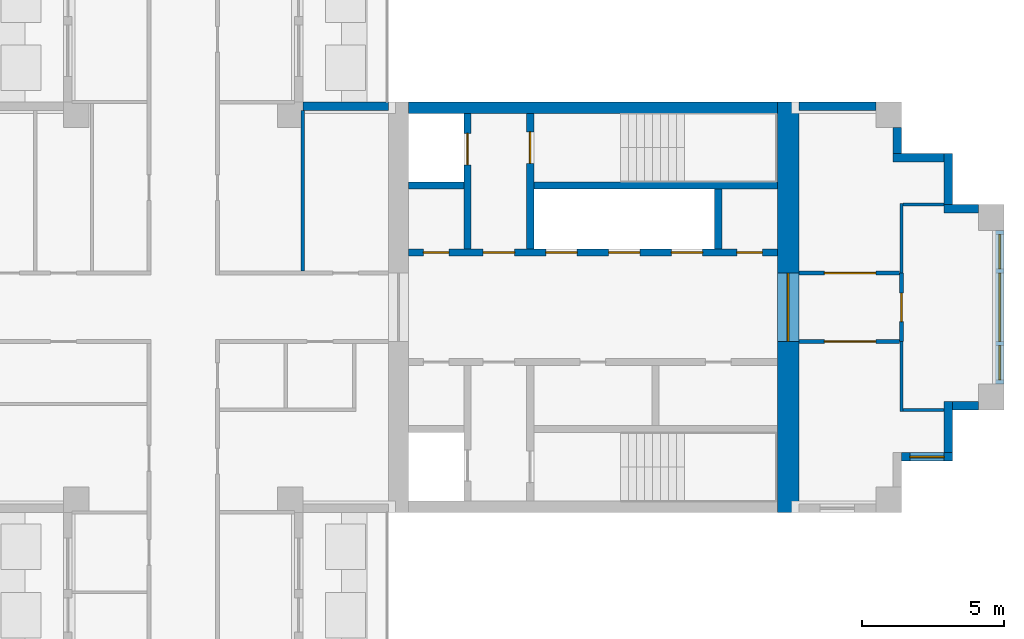
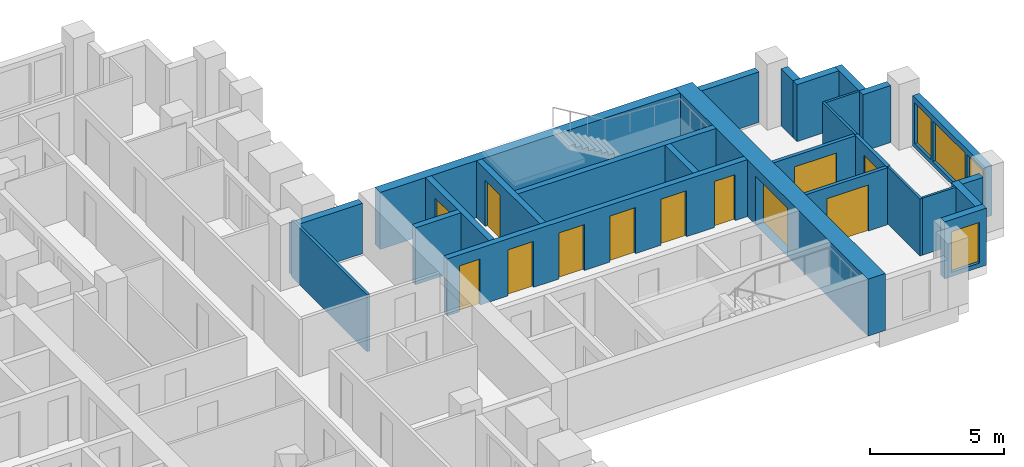
# One storey, part 6 of 10: 26 walls, 12 doors, 4 windows, 16 openings.
"""IFC4 building model written with IfcOpenShell, lengths in metres."""

import ifcopenshell
import ifcopenshell.guid

model = None  # the IFC model being written
_history = None  # IfcOwnerHistory: only IFC2X3 demands one
_inside = {}  # id of a spatial element -> (the spatial element, [elements in it])
_under = {}  # id of a project, library or spatial element -> (it, [spatial elements below it])
_declared = {}  # id of a project -> (the project, [libraries it declares])
_typed = {}  # id of a type object -> (the type object, [elements of that type])
_made_of = {}  # id of a material, layer set ... -> (it, [elements and type objects made of it])


def new_model(schema):
    """Start an empty IFC model of exactly this schema.

    Asked for "IFC4X3", IfcOpenShell would pick the latest addendum, in which some entities
    have other attributes; the version numbers below select the first issue.
    IFC2X3 requires an IfcOwnerHistory on every rooted entity: one is made here for all.
    """
    global model, _history
    if schema == "IFC4X3":
        model = ifcopenshell.file(schema_version=(4, 3, 0, 0))
    else:
        model = ifcopenshell.file(schema=schema)
    _inside.clear()
    _under.clear()
    _declared.clear()
    _typed.clear()
    _made_of.clear()
    _history = None
    if model.schema == "IFC2X3":
        org = make("IfcOrganization", Name="unknown")
        user = make(
            "IfcPersonAndOrganization",
            ThePerson=make("IfcPerson", FamilyName="unknown"),
            TheOrganization=org,
        )
        app = make(
            "IfcApplication",
            ApplicationDeveloper=org,
            Version="unknown",
            ApplicationFullName="unknown",
            ApplicationIdentifier="unknown",
        )
        _history = make(
            "IfcOwnerHistory",
            OwningUser=user,
            OwningApplication=app,
            ChangeAction="ADDED",
            CreationDate=0,
        )
    return model


def make(cls, **values):
    """One entity of the class cls with the attributes given. An attribute that is None is left unset."""
    return model.create_entity(
        cls, **{name: value for name, value in values.items() if value is not None}
    )


def rooted(cls, **values):
    """An entity with a GlobalId (a new one), such as an element, a storey or a relation."""
    return make(cls, GlobalId=ifcopenshell.guid.new(), OwnerHistory=_history, **values)


def si_unit(unit_type, name, prefix=None):
    """IfcSIUnit, for example si_unit("LENGTHUNIT", "METRE", prefix="MILLI")."""
    return make("IfcSIUnit", UnitType=unit_type, Prefix=prefix, Name=name)


def assignment(units):
    """IfcUnitAssignment: the units of a project."""
    return None if units is None else make("IfcUnitAssignment", Units=units)


def point(xyz):
    """IfcCartesianPoint."""
    return None if xyz is None else make("IfcCartesianPoint", Coordinates=xyz)


def direction(xyz):
    """IfcDirection."""
    return None if xyz is None else make("IfcDirection", DirectionRatios=xyz)


def frame(location, z_axis=None, x_axis=None):
    """IfcAxis2Placement3D, a coordinate frame: its origin and axes. An axis left out is left unset."""
    return make(
        "IfcAxis2Placement3D",
        Location=point(location),
        Axis=direction(z_axis),
        RefDirection=direction(x_axis),
    )


def frame_2d(location, x_axis=None):
    """IfcAxis2Placement2D, a coordinate frame in the plane: its origin and x axis."""
    return make(
        "IfcAxis2Placement2D", Location=point(location), RefDirection=direction(x_axis)
    )


def origin():
    """The frame at (0, 0, 0) with its axes left unset."""
    return frame((0.0, 0.0, 0.0))


def place(relative_to, where):
    """IfcLocalPlacement: puts the frame where relative to a parent placement (None: the world)."""
    return make(
        "IfcLocalPlacement", PlacementRelTo=relative_to, RelativePlacement=where
    )


def context(
    kind, dimensions, precision=None, world=None, true_north=None, identifier=None
):
    """IfcGeometricRepresentationContext, for example the 3D "Model" context."""
    return make(
        "IfcGeometricRepresentationContext",
        ContextIdentifier=identifier,
        ContextType=kind,
        CoordinateSpaceDimension=dimensions,
        Precision=precision,
        WorldCoordinateSystem=world,
        TrueNorth=true_north,
    )


def subcontext(parent, identifier, kind, view, scale=None):
    """IfcGeometricRepresentationSubContext, for example "Body" below "Model"."""
    return make(
        "IfcGeometricRepresentationSubContext",
        ContextIdentifier=identifier,
        ContextType=kind,
        ParentContext=parent,
        TargetScale=scale,
        TargetView=view,
    )


def project(units=None, contexts=None):
    """IfcProject with its units and contexts."""
    return rooted(
        "IfcProject",
        Name="project",
        RepresentationContexts=contexts,
        UnitsInContext=assignment(units),
    )


def spatial(cls, under=None, at=None, **own):
    """A site, building, storey or space (cls), placed at a placement, below another one or the project."""
    s = rooted(cls, ObjectPlacement=at, **own)
    if under is not None:
        _under.setdefault(under.id(), (under, []))[1].append(s)
    return s


def profile(cls, at=None, kind="AREA", **sizes):
    """A parametric profile (cls). Its sizes go by their IFC names, for example OverallWidth=200.0."""
    return make(cls, ProfileType=kind, Position=at, **sizes)


def rectangle(**sizes):
    """IfcRectangleProfileDef."""
    return profile("IfcRectangleProfileDef", **sizes)


def extrude(swept, where, along, depth):
    """IfcExtrudedAreaSolid: the profile swept, set in the frame where, extruded along a direction by depth."""
    return make(
        "IfcExtrudedAreaSolid",
        SweptArea=swept,
        Position=where,
        ExtrudedDirection=direction(along),
        Depth=depth,
    )


def shape(context_of_items, identifier, shape_type, items):
    """IfcShapeRepresentation: the items that make up one representation, for example the "Body"."""
    return make(
        "IfcShapeRepresentation",
        ContextOfItems=context_of_items,
        RepresentationIdentifier=identifier,
        RepresentationType=shape_type,
        Items=items,
    )


def material(Name=None, Category=None):
    """IfcMaterial."""
    return make("IfcMaterial", Name=Name, Category=Category)


def layer(
    of_material, thickness, ventilated=None, Name=None, Category=None, Priority=None
):
    """IfcMaterialLayer: one layer of a wall or slab, of a material (None: an air gap)."""
    return make(
        "IfcMaterialLayer",
        Material=of_material,
        LayerThickness=thickness,
        IsVentilated=ventilated,
        Name=Name,
        Category=Category,
        Priority=Priority,
    )


def layer_set(layers, Name=None):
    """IfcMaterialLayerSet."""
    return make("IfcMaterialLayerSet", MaterialLayers=layers, LayerSetName=Name)


def made_of(thing, what):
    """Note that an element or type object is made of a material, layer set ...; save() writes the relation."""
    if what is not None:
        _made_of.setdefault(what.id(), (what, []))[1].append(thing)
    return thing


def type_object(cls, material=None, **own):
    """A type object (cls), such as IfcWallType, which elements share."""
    return made_of(rooted(cls, **own), material)


def element(
    cls,
    number,
    at=None,
    inside=None,
    cuts=None,
    type_object=None,
    material=None,
    context=None,
    identifier="Body",
    shape_type=None,
    held_by="IfcProductDefinitionShape",
    body=None,
    shapes=None,
    **own,
):
    """One element of the class cls, such as IfcWall. Its Tag is "e" and its number.

    at: its placement. inside: the storey or other place that contains it. cuts: it is an
    opening in that element (IfcRelVoidsElement). A single representation is given by context,
    identifier, shape_type and body (its items); several are given by shapes. held_by: the class
    of the entity that holds the representations. save() writes the other relations.
    """
    e = rooted(cls, Tag="e%d" % number, ObjectPlacement=at, **own)
    if body is not None:
        shapes = [shape(context, identifier, shape_type, body)]
    if shapes is not None:
        e.Representation = make(held_by, Representations=shapes)
    if inside is not None:
        _inside.setdefault(inside.id(), (inside, []))[1].append(e)
    if cuts is not None:
        rooted(
            "IfcRelVoidsElement", RelatingBuildingElement=cuts, RelatedOpeningElement=e
        )
    if type_object is not None:
        _typed.setdefault(type_object.id(), (type_object, []))[1].append(e)
    return made_of(e, material)


def fill(opening, filler):
    """IfcRelFillsElement: the door or window that sits in an opening."""
    return rooted(
        "IfcRelFillsElement",
        RelatingOpeningElement=opening,
        RelatedBuildingElement=filler,
    )


def aggregate(whole, parts):
    """IfcRelAggregates: a whole, such as a stair, and the parts it consists of."""
    return rooted("IfcRelAggregates", RelatingObject=whole, RelatedObjects=parts)


def save(model, path):
    """Write the relations noted so far, then the file.

    IfcRelAggregates (storeys below a building ...), IfcRelContainedInSpatialStructure (elements
    in a storey), IfcRelDefinesByType, IfcRelAssociatesMaterial and IfcRelDeclares: one each for
    every whole, place, type object, material and project.
    """
    for whole, parts in _under.values():
        aggregate(whole, parts)
    for where, things in _inside.values():
        rooted(
            "IfcRelContainedInSpatialStructure",
            RelatedElements=things,
            RelatingStructure=where,
        )
    for kind, things in _typed.values():
        rooted("IfcRelDefinesByType", RelatedObjects=things, RelatingType=kind)
    for what, things in _made_of.values():
        rooted("IfcRelAssociatesMaterial", RelatedObjects=things, RelatingMaterial=what)
    for by, libraries in _declared.values():
        rooted("IfcRelDeclares", RelatingContext=by, RelatedDefinitions=libraries)
    model.write(path)


model = new_model("IFC4")

# Units and contexts
model_context = context("Model", 3, precision=1e-05, world=origin(), true_north=direction((0.0, 1.0)))
body_context = subcontext(model_context, "Body", "Model", "MODEL_VIEW")
ifc_project = project(units=[si_unit("LENGTHUNIT", "METRE"), si_unit("AREAUNIT", "SQUARE_METRE"), si_unit("VOLUMEUNIT", "CUBIC_METRE"), si_unit("PLANEANGLEUNIT", "RADIAN"), si_unit("MASSUNIT", "GRAM", prefix="KILO")], contexts=[model_context])

# Site, building, storey
site_placement = place(None, origin())
site = spatial("IfcSite", under=ifc_project, at=site_placement, CompositionType="ELEMENT")
building_placement = place(site_placement, origin())
building = spatial("IfcBuilding", under=site, at=building_placement, Name="Fustian Cross Tower", CompositionType="ELEMENT")
storey_placement = place(building_placement, frame((0.0, 0.0, 201.89990234375)))
storey = spatial("IfcBuildingStorey", under=building, at=storey_placement, Name="L63", CompositionType="ELEMENT", Elevation=201.89990234375)

# Wall, opening, door
ifc_material_1 = material(Name="Plasterboard on steel stud", Category="steel")
ifc_layer_1 = layer(ifc_material_1, 0.14990234375)
ifc_layer_set_1 = layer_set([ifc_layer_1], Name="Plasterboard on steel stud")
wall_type_1 = type_object("IfcWallType", Name="COMPARTMENT WALL 150 EI 60", PredefinedType="PARTITIONING", material=ifc_layer_set_1)
wall_1_placement = place(storey_placement, frame((21.60009765625, -1.199951171875, 0.0), z_axis=(0.0, 0.0, 1.0), x_axis=(1.0, 0.0, 0.0)))
wall_1 = element("IfcWall", 1, at=wall_1_placement, inside=storey, type_object=wall_type_1, Name="Partition 48", PredefinedType="PARTITIONING", context=body_context, shape_type="SweptSolid", body=[
    extrude(rectangle(XDim=3.52490234375, YDim=0.14990234375, at=frame_2d((1.762451171875, 0.0))), origin(), (0.0, 0.0, 1.0), 2.60009765625),
])
opening_1_placement = place(wall_1_placement, frame((0.89990234375, 0.0, 0.0)))
opening_1 = element("IfcOpeningElement", 2, at=opening_1_placement, cuts=wall_1, Name="Opening D29013", PredefinedType="OPENING", context=body_context, shape_type="SweptSolid", body=[
    extrude(rectangle(XDim=1.800048828125, YDim=2.10009765625, at=frame_2d((0.89990234375, 1.050048828125))), frame((0.0, 0.0849609375, 0.0), z_axis=(0.0, -1.0, 0.0), x_axis=(1.0, 0.0, 0.0)), (0.0, 0.0, 1.0), 0.169921875),
])
ifc_material_2 = material(Name="Timber fire door set", Category="wood")
door_type_1 = type_object("IfcDoorType", Name="FIRE DOUBLE DOOR 1800 FD30S", OperationType="DOUBLE_DOOR_DOUBLE_SWING", PredefinedType="DOOR", material=ifc_material_2)
door_1_placement = place(opening_1_placement, origin())
door_1 = element("IfcDoor", 3, at=door_1_placement, inside=storey, type_object=door_type_1, Name="Door D29013", OperationType="DOUBLE_DOOR_DOUBLE_SWING", OverallHeight=2.10009765625, OverallWidth=1.800048828125, PredefinedType="DOOR", context=body_context, shape_type="SweptSolid", body=[
    extrude(rectangle(XDim=1.800048828125, YDim=2.10009765625, at=frame_2d((0.89990234375, 1.050048828125))), frame((0.0, 0.02490234375, 0.0), z_axis=(0.0, -1.0, 0.0), x_axis=(1.0, 0.0, 0.0)), (0.0, 0.0, 1.0), 0.050048828125),
])
fill(opening_1, door_1)

wall_2_placement = place(storey_placement, frame((21.60009765625, 1.199951171875, 0.0), z_axis=(0.0, 0.0, 1.0), x_axis=(1.0, 0.0, 0.0)))
wall_2 = element("IfcWall", 4, at=wall_2_placement, inside=storey, type_object=wall_type_1, Name="Partition 49", PredefinedType="PARTITIONING", context=body_context, shape_type="SweptSolid", body=[
    extrude(rectangle(XDim=3.52490234375, YDim=0.14990234375, at=frame_2d((1.762451171875, 0.0))), origin(), (0.0, 0.0, 1.0), 2.60009765625),
])
opening_2_placement = place(wall_2_placement, frame((0.89990234375, 0.0, 0.0)))
opening_2 = element("IfcOpeningElement", 5, at=opening_2_placement, cuts=wall_2, Name="Opening D29012", PredefinedType="OPENING", context=body_context, shape_type="SweptSolid", body=[
    extrude(rectangle(XDim=1.800048828125, YDim=2.10009765625, at=frame_2d((0.89990234375, 1.050048828125))), frame((0.0, 0.0849609375, 0.0), z_axis=(0.0, -1.0, 0.0), x_axis=(1.0, 0.0, 0.0)), (0.0, 0.0, 1.0), 0.169921875),
])
door_2_placement = place(opening_2_placement, frame((1.800048828125, 0.0, 0.0), z_axis=(0.0, 0.0, 1.0), x_axis=(-1.0, 0.0, 0.0)))
door_2 = element("IfcDoor", 6, at=door_2_placement, inside=storey, type_object=door_type_1, Name="Door D29012", OperationType="DOUBLE_DOOR_DOUBLE_SWING", OverallHeight=2.10009765625, OverallWidth=1.800048828125, PredefinedType="DOOR", context=body_context, shape_type="SweptSolid", body=[
    extrude(rectangle(XDim=1.800048828125, YDim=2.10009765625, at=frame_2d((0.89990234375, 1.050048828125))), frame((0.0, 0.02490234375, 0.0), z_axis=(0.0, -1.0, 0.0), x_axis=(1.0, 0.0, 0.0)), (0.0, 0.0, 1.0), 0.050048828125),
])
fill(opening_2, door_2)

wall_3_placement = place(storey_placement, frame((25.199951171875, -1.199951171875, 0.0), z_axis=(0.0, 0.0, 1.0), x_axis=(0.0, 1.0, 0.0)))
wall_3 = element("IfcWall", 7, at=wall_3_placement, inside=storey, type_object=wall_type_1, Name="Partition 52", PredefinedType="PARTITIONING", context=body_context, shape_type="SweptSolid", body=[
    extrude(rectangle(XDim=2.39990234375, YDim=0.14990234375, at=frame_2d((1.199951171875, 0.0))), origin(), (0.0, 0.0, 1.0), 2.60009765625),
])
opening_3_placement = place(wall_3_placement, frame((0.699951171875, 0.0, 0.0)))
opening_3 = element("IfcOpeningElement", 8, at=opening_3_placement, cuts=wall_3, Name="Opening D29011", PredefinedType="OPENING", context=body_context, shape_type="SweptSolid", body=[
    extrude(rectangle(XDim=1.0, YDim=2.10009765625, at=frame_2d((0.5, 1.050048828125))), frame((0.0, 0.0849609375, 0.0), z_axis=(0.0, -1.0, 0.0), x_axis=(1.0, 0.0, 0.0)), (0.0, 0.0, 1.0), 0.169921875),
])
ifc_material_3 = material(Name="Timber fire door set", Category="wood")
door_type_2 = type_object("IfcDoorType", Name="FIRE SWING DOOR 1000 FD30S", OperationType="SINGLE_SWING_LEFT", PredefinedType="DOOR", material=ifc_material_3)
door_3_placement = place(opening_3_placement, frame((1.0, 0.0, 0.0), z_axis=(0.0, 0.0, 1.0), x_axis=(-1.0, 0.0, 0.0)))
door_3 = element("IfcDoor", 9, at=door_3_placement, inside=storey, type_object=door_type_2, Name="Door D29011", OperationType="SINGLE_SWING_RIGHT", OverallHeight=2.10009765625, OverallWidth=1.0, PredefinedType="DOOR", context=body_context, shape_type="SweptSolid", body=[
    extrude(rectangle(XDim=1.0, YDim=2.10009765625, at=frame_2d((0.5, 1.050048828125))), frame((0.0, 0.02490234375, 0.0), z_axis=(0.0, -1.0, 0.0), x_axis=(1.0, 0.0, 0.0)), (0.0, 0.0, 1.0), 0.050048828125),
])
fill(opening_3, door_3)

ifc_material_4 = material(Name="Concrete C50/60", Category="concrete")
ifc_layer_2 = layer(ifc_material_4, 0.75)
ifc_layer_set_2 = layer_set([ifc_layer_2], Name="Concrete C50/60")
wall_type_2 = type_object("IfcWallType", Name="CORE END WALL 750 C50/60", PredefinedType="SHEAR", material=ifc_layer_set_2)
wall_4_placement = place(storey_placement, frame((21.22509765625, -7.199951171875, 0.0), z_axis=(0.0, 0.0, 1.0), x_axis=(0.0, 1.0, 0.0)))
wall_4 = element("IfcWall", 10, at=wall_4_placement, inside=storey, type_object=wall_type_2, Name="Core end wall", PredefinedType="SHEAR", context=body_context, shape_type="SweptSolid", body=[
    extrude(rectangle(XDim=14.39990234375, YDim=0.75, at=frame_2d((7.199951171875, 0.0))), origin(), (0.0, 0.0, 1.0), 2.60009765625),
])
opening_4_placement = place(wall_4_placement, frame((6.0, 0.0, 0.0)))
opening_4 = element("IfcOpeningElement", 11, at=opening_4_placement, cuts=wall_4, Name="Opening CD-27-13", PredefinedType="OPENING", context=body_context, shape_type="SweptSolid", body=[
    extrude(rectangle(XDim=2.39990234375, YDim=2.199951171875, at=frame_2d((1.199951171875, 1.10009765625))), frame((0.0, 0.385009765625, 0.0), z_axis=(0.0, -1.0, 0.0), x_axis=(1.0, 0.0, 0.0)), (0.0, 0.0, 1.0), 0.77001953125),
])
ifc_material_5 = material(Name="Steel", Category="steel")
door_type_3 = type_object("IfcDoorType", Name="FIRE DOOR FD30S DOUBLE 2400X2200", OperationType="DOUBLE_DOOR_DOUBLE_SWING", PredefinedType="DOOR", material=ifc_material_5)
door_4_placement = place(opening_4_placement, origin())
door_4 = element("IfcDoor", 12, at=door_4_placement, inside=storey, type_object=door_type_3, Name="Core door CD-27-13", OperationType="DOUBLE_DOOR_DOUBLE_SWING", OverallHeight=2.199951171875, OverallWidth=2.39990234375, PredefinedType="DOOR", context=body_context, shape_type="SweptSolid", body=[
    extrude(rectangle(XDim=2.39990234375, YDim=2.199951171875, at=frame_2d((1.199951171875, 1.10009765625))), frame((0.0, 0.02490234375, 0.0), z_axis=(0.0, -1.0, 0.0), x_axis=(1.0, 0.0, 0.0)), (0.0, 0.0, 1.0), 0.050048828125),
])
fill(opening_4, door_4)

# Wall
ifc_material_6 = material(Name="Concrete C50/60", Category="concrete")
ifc_layer_3 = layer(ifc_material_6, 0.39990234375)
ifc_layer_set_3 = layer_set([ifc_layer_3], Name="Concrete C50/60")
wall_type_3 = type_object("IfcWallType", Name="CORE FACADE WALL 400 C50/60", PredefinedType="SHEAR", material=ifc_layer_set_3)
wall_5_placement = place(storey_placement, frame((7.89990234375, 7.0, 0.0), z_axis=(0.0, 0.0, 1.0), x_axis=(1.0, 0.0, 0.0)))
element("IfcWall", 13, at=wall_5_placement, inside=storey, type_object=wall_type_3, Name="Core facade wall", PredefinedType="SHEAR", context=body_context, shape_type="SweptSolid", body=[
    extrude(rectangle(XDim=12.9501953125, YDim=0.39990234375, at=frame_2d((6.47509765625, 0.0))), origin(), (0.0, 0.0, 1.0), 2.60009765625),
])

# Wall, openings, doors
ifc_material_7 = material(Name="Concrete C50/60", Category="concrete")
ifc_layer_4 = layer(ifc_material_7, 0.25)
ifc_layer_set_4 = layer_set([ifc_layer_4], Name="Concrete C50/60")
wall_type_4 = type_object("IfcWallType", Name="CORE LOBBY WALL 250 C50/60", PredefinedType="SHEAR", material=ifc_layer_set_4)
wall_6_placement = place(storey_placement, frame((7.89990234375, 1.925048828125, 0.0), z_axis=(0.0, 0.0, 1.0), x_axis=(1.0, 0.0, 0.0)))
wall_6 = element("IfcWall", 14, at=wall_6_placement, inside=storey, type_object=wall_type_4, Name="Core lobby wall", PredefinedType="SHEAR", context=body_context, shape_type="SweptSolid", body=[
    extrude(rectangle(XDim=12.9501953125, YDim=0.25, at=frame_2d((6.47509765625, 0.0))), origin(), (0.0, 0.0, 1.0), 2.60009765625),
])
opening_5_placement = place(wall_6_placement, frame((4.824951171875, 0.0, 0.0)))
opening_5 = element("IfcOpeningElement", 15, at=opening_5_placement, cuts=wall_6, Name="Opening LD", PredefinedType="OPENING", context=body_context, shape_type="SweptSolid", body=[
    extrude(rectangle(XDim=1.10009765625, YDim=2.10009765625, at=frame_2d((0.550048828125, 1.050048828125))), frame((0.0, 0.135009765625, 0.0), z_axis=(0.0, -1.0, 0.0), x_axis=(1.0, 0.0, 0.0)), (0.0, 0.0, 1.0), 0.27001953125),
])
opening_6_placement = place(wall_6_placement, frame((7.02490234375, 0.0, 0.0)))
opening_6 = element("IfcOpeningElement", 16, at=opening_6_placement, cuts=wall_6, Name="Opening LD", PredefinedType="OPENING", context=body_context, shape_type="SweptSolid", body=[
    extrude(rectangle(XDim=1.10009765625, YDim=2.10009765625, at=frame_2d((0.550048828125, 1.050048828125))), frame((0.0, 0.135009765625, 0.0), z_axis=(0.0, -1.0, 0.0), x_axis=(1.0, 0.0, 0.0)), (0.0, 0.0, 1.0), 0.27001953125),
])
opening_7_placement = place(wall_6_placement, frame((9.22509765625, 0.0, 0.0)))
opening_7 = element("IfcOpeningElement", 17, at=opening_7_placement, cuts=wall_6, Name="Opening LD", PredefinedType="OPENING", context=body_context, shape_type="SweptSolid", body=[
    extrude(rectangle(XDim=1.10009765625, YDim=2.10009765625, at=frame_2d((0.550048828125, 1.050048828125))), frame((0.0, 0.135009765625, 0.0), z_axis=(0.0, -1.0, 0.0), x_axis=(1.0, 0.0, 0.0)), (0.0, 0.0, 1.0), 0.27001953125),
])
opening_8_placement = place(wall_6_placement, frame((0.52490234375, 0.0, 0.0)))
opening_8 = element("IfcOpeningElement", 18, at=opening_8_placement, cuts=wall_6, Name="Opening CD-27-08", PredefinedType="OPENING", context=body_context, shape_type="SweptSolid", body=[
    extrude(rectangle(XDim=0.89990234375, YDim=2.10009765625, at=frame_2d((0.449951171875, 1.050048828125))), frame((0.0, 0.135009765625, 0.0), z_axis=(0.0, -1.0, 0.0), x_axis=(1.0, 0.0, 0.0)), (0.0, 0.0, 1.0), 0.27001953125),
])
opening_9_placement = place(wall_6_placement, frame((2.625, 0.0, 0.0)))
opening_9 = element("IfcOpeningElement", 19, at=opening_9_placement, cuts=wall_6, Name="Opening CD-27-10", PredefinedType="OPENING", context=body_context, shape_type="SweptSolid", body=[
    extrude(rectangle(XDim=1.10009765625, YDim=2.10009765625, at=frame_2d((0.550048828125, 1.050048828125))), frame((0.0, 0.135009765625, 0.0), z_axis=(0.0, -1.0, 0.0), x_axis=(1.0, 0.0, 0.0)), (0.0, 0.0, 1.0), 0.27001953125),
])
opening_10_placement = place(wall_6_placement, frame((11.52490234375, 0.0, 0.0)))
opening_10 = element("IfcOpeningElement", 20, at=opening_10_placement, cuts=wall_6, Name="Opening CD-27-14", PredefinedType="OPENING", context=body_context, shape_type="SweptSolid", body=[
    extrude(rectangle(XDim=0.89990234375, YDim=2.10009765625, at=frame_2d((0.449951171875, 1.050048828125))), frame((0.0, 0.135009765625, 0.0), z_axis=(0.0, -1.0, 0.0), x_axis=(1.0, 0.0, 0.0)), (0.0, 0.0, 1.0), 0.27001953125),
])
ifc_material_8 = material(Name="Steel", Category="steel")
door_type_4 = type_object("IfcDoorType", Name="FIRE DOOR FD30S 900X2100", OperationType="SINGLE_SWING_LEFT", PredefinedType="DOOR", material=ifc_material_8)
door_5_placement = place(opening_10_placement, origin())
door_5 = element("IfcDoor", 21, at=door_5_placement, inside=storey, type_object=door_type_4, Name="Core door CD-27-14", OperationType="SINGLE_SWING_LEFT", OverallHeight=2.10009765625, OverallWidth=0.89990234375, PredefinedType="DOOR", context=body_context, shape_type="SweptSolid", body=[
    extrude(rectangle(XDim=0.89990234375, YDim=2.10009765625, at=frame_2d((0.449951171875, 1.050048828125))), frame((0.0, 0.02490234375, 0.0), z_axis=(0.0, -1.0, 0.0), x_axis=(1.0, 0.0, 0.0)), (0.0, 0.0, 1.0), 0.050048828125),
])
fill(opening_10, door_5)
ifc_material_9 = material(Name="Steel", Category="steel")
door_type_5 = type_object("IfcDoorType", Name="FIRE DOOR FD60S 1100X2100", OperationType="SINGLE_SWING_LEFT", PredefinedType="DOOR", material=ifc_material_9)
door_6_placement = place(opening_9_placement, frame((1.10009765625, 0.0, 0.0), z_axis=(0.0, 0.0, 1.0), x_axis=(-1.0, 0.0, 0.0)))
door_6 = element("IfcDoor", 22, at=door_6_placement, inside=storey, type_object=door_type_5, Name="Core door CD-27-10", OperationType="SINGLE_SWING_RIGHT", OverallHeight=2.10009765625, OverallWidth=1.10009765625, PredefinedType="DOOR", context=body_context, shape_type="SweptSolid", body=[
    extrude(rectangle(XDim=1.10009765625, YDim=2.10009765625, at=frame_2d((0.550048828125, 1.050048828125))), frame((0.0, 0.02490234375, 0.0), z_axis=(0.0, -1.0, 0.0), x_axis=(1.0, 0.0, 0.0)), (0.0, 0.0, 1.0), 0.050048828125),
])
fill(opening_9, door_6)
ifc_material_10 = material(Name="Steel", Category="steel")
door_type_6 = type_object("IfcDoorType", Name="FIRE DOOR FD60S 900X2100", OperationType="SINGLE_SWING_LEFT", PredefinedType="DOOR", material=ifc_material_10)
door_7_placement = place(opening_8_placement, origin())
door_7 = element("IfcDoor", 23, at=door_7_placement, inside=storey, type_object=door_type_6, Name="Core door CD-27-08", OperationType="SINGLE_SWING_LEFT", OverallHeight=2.10009765625, OverallWidth=0.89990234375, PredefinedType="DOOR", context=body_context, shape_type="SweptSolid", body=[
    extrude(rectangle(XDim=0.89990234375, YDim=2.10009765625, at=frame_2d((0.449951171875, 1.050048828125))), frame((0.0, 0.02490234375, 0.0), z_axis=(0.0, -1.0, 0.0), x_axis=(1.0, 0.0, 0.0)), (0.0, 0.0, 1.0), 0.050048828125),
])
fill(opening_8, door_7)
ifc_material_11 = material(Name="Stainless steel", Category="steel")
door_type_7 = type_object("IfcDoorType", Name="LIFT LANDING DOOR 1100X2100", OperationType="SLIDING_TO_LEFT", PredefinedType="DOOR", material=ifc_material_11)
door_8_placement = place(opening_5_placement, origin())
door_8 = element("IfcDoor", 24, at=door_8_placement, inside=storey, type_object=door_type_7, Name="Landing door HR1", OperationType="SLIDING_TO_LEFT", OverallHeight=2.10009765625, OverallWidth=1.10009765625, PredefinedType="DOOR", context=body_context, shape_type="SweptSolid", body=[
    extrude(rectangle(XDim=1.10009765625, YDim=2.10009765625, at=frame_2d((0.550048828125, 1.050048828125))), frame((0.0, 0.02490234375, 0.0), z_axis=(0.0, -1.0, 0.0), x_axis=(1.0, 0.0, 0.0)), (0.0, 0.0, 1.0), 0.050048828125),
])
fill(opening_5, door_8)
door_9_placement = place(opening_6_placement, origin())
door_9 = element("IfcDoor", 25, at=door_9_placement, inside=storey, type_object=door_type_7, Name="Landing door HR2", OperationType="SLIDING_TO_LEFT", OverallHeight=2.10009765625, OverallWidth=1.10009765625, PredefinedType="DOOR", context=body_context, shape_type="SweptSolid", body=[
    extrude(rectangle(XDim=1.10009765625, YDim=2.10009765625, at=frame_2d((0.550048828125, 1.050048828125))), frame((0.0, 0.02490234375, 0.0), z_axis=(0.0, -1.0, 0.0), x_axis=(1.0, 0.0, 0.0)), (0.0, 0.0, 1.0), 0.050048828125),
])
fill(opening_6, door_9)
door_10_placement = place(opening_7_placement, origin())
door_10 = element("IfcDoor", 26, at=door_10_placement, inside=storey, type_object=door_type_7, Name="Landing door HR3", OperationType="SLIDING_TO_LEFT", OverallHeight=2.10009765625, OverallWidth=1.10009765625, PredefinedType="DOOR", context=body_context, shape_type="SweptSolid", body=[
    extrude(rectangle(XDim=1.10009765625, YDim=2.10009765625, at=frame_2d((0.550048828125, 1.050048828125))), frame((0.0, 0.02490234375, 0.0), z_axis=(0.0, -1.0, 0.0), x_axis=(1.0, 0.0, 0.0)), (0.0, 0.0, 1.0), 0.050048828125),
])
fill(opening_7, door_10)

# Walls
ifc_material_12 = material(Name="Concrete C50/60", Category="concrete")
ifc_layer_5 = layer(ifc_material_12, 0.25)
ifc_layer_set_5 = layer_set([ifc_layer_5], Name="Concrete C50/60")
wall_type_5 = type_object("IfcWallType", Name="CORE SHAFT WALL 250 C50/60", PredefinedType="SHEAR", material=ifc_layer_set_5)
wall_7_placement = place(storey_placement, frame((7.89990234375, 4.27490234375, 0.0), z_axis=(0.0, 0.0, 1.0), x_axis=(1.0, 0.0, 0.0)))
element("IfcWall", 27, at=wall_7_placement, inside=storey, type_object=wall_type_5, Name="Core shaft wall", PredefinedType="SHEAR", context=body_context, shape_type="SweptSolid", body=[
    extrude(rectangle(XDim=1.9501953125, YDim=0.25, at=frame_2d((0.97509765625, 0.0))), origin(), (0.0, 0.0, 1.0), 2.60009765625),
])
wall_8_placement = place(storey_placement, frame((12.300048828125, 4.27490234375, 0.0), z_axis=(0.0, 0.0, 1.0), x_axis=(1.0, 0.0, 0.0)))
element("IfcWall", 28, at=wall_8_placement, inside=storey, type_object=wall_type_5, Name="Core shaft wall", PredefinedType="SHEAR", context=body_context, shape_type="SweptSolid", body=[
    extrude(rectangle(XDim=8.550048828125, YDim=0.25, at=frame_2d((4.27490234375, 0.0))), origin(), (0.0, 0.0, 1.0), 2.60009765625),
])

# Wall, opening, door
wall_9_placement = place(storey_placement, frame((9.97509765625, 2.050048828125, 0.0), z_axis=(0.0, 0.0, 1.0), x_axis=(0.0, 1.0, 0.0)))
wall_9 = element("IfcWall", 29, at=wall_9_placement, inside=storey, type_object=wall_type_5, Name="Core shaft wall", PredefinedType="SHEAR", context=body_context, shape_type="SweptSolid", body=[
    extrude(rectangle(XDim=4.75, YDim=0.25, at=frame_2d((2.375, 0.0))), origin(), (0.0, 0.0, 1.0), 2.60009765625),
])
opening_11_placement = place(wall_9_placement, frame((2.949951171875, 0.0, 0.0)))
opening_11 = element("IfcOpeningElement", 30, at=opening_11_placement, cuts=wall_9, Name="Opening LD", PredefinedType="OPENING", context=body_context, shape_type="SweptSolid", body=[
    extrude(rectangle(XDim=1.10009765625, YDim=2.10009765625, at=frame_2d((0.550048828125, 1.050048828125))), frame((0.0, 0.135009765625, 0.0), z_axis=(0.0, -1.0, 0.0), x_axis=(1.0, 0.0, 0.0)), (0.0, 0.0, 1.0), 0.27001953125),
])
door_11_placement = place(opening_11_placement, origin())
door_11 = element("IfcDoor", 31, at=door_11_placement, inside=storey, type_object=door_type_7, Name="Landing door FL1", OperationType="SLIDING_TO_LEFT", OverallHeight=2.10009765625, OverallWidth=1.10009765625, PredefinedType="DOOR", context=body_context, shape_type="SweptSolid", body=[
    extrude(rectangle(XDim=1.10009765625, YDim=2.10009765625, at=frame_2d((0.550048828125, 1.050048828125))), frame((0.0, 0.02490234375, 0.0), z_axis=(0.0, -1.0, 0.0), x_axis=(1.0, 0.0, 0.0)), (0.0, 0.0, 1.0), 0.050048828125),
])
fill(opening_11, door_11)

wall_10_placement = place(storey_placement, frame((12.175048828125, 2.050048828125, 0.0), z_axis=(0.0, 0.0, 1.0), x_axis=(0.0, 1.0, 0.0)))
wall_10 = element("IfcWall", 32, at=wall_10_placement, inside=storey, type_object=wall_type_5, Name="Core shaft wall", PredefinedType="SHEAR", context=body_context, shape_type="SweptSolid", body=[
    extrude(rectangle(XDim=4.75, YDim=0.25, at=frame_2d((2.375, 0.0))), origin(), (0.0, 0.0, 1.0), 2.60009765625),
])
opening_12_placement = place(wall_10_placement, frame((3.0, 0.0, 0.0)))
opening_12 = element("IfcOpeningElement", 33, at=opening_12_placement, cuts=wall_10, Name="Opening CD-27-06", PredefinedType="OPENING", context=body_context, shape_type="SweptSolid", body=[
    extrude(rectangle(XDim=1.10009765625, YDim=2.10009765625, at=frame_2d((0.550048828125, 1.050048828125))), frame((0.0, 0.135009765625, 0.0), z_axis=(0.0, -1.0, 0.0), x_axis=(1.0, 0.0, 0.0)), (0.0, 0.0, 1.0), 0.27001953125),
])
door_12_placement = place(opening_12_placement, frame((1.10009765625, 0.0, 0.0), z_axis=(0.0, 0.0, 1.0), x_axis=(-1.0, 0.0, 0.0)))
door_12 = element("IfcDoor", 34, at=door_12_placement, inside=storey, type_object=door_type_5, Name="Core door CD-27-06", OperationType="SINGLE_SWING_RIGHT", OverallHeight=2.10009765625, OverallWidth=1.10009765625, PredefinedType="DOOR", context=body_context, shape_type="SweptSolid", body=[
    extrude(rectangle(XDim=1.10009765625, YDim=2.10009765625, at=frame_2d((0.550048828125, 1.050048828125))), frame((0.0, 0.02490234375, 0.0), z_axis=(0.0, -1.0, 0.0), x_axis=(1.0, 0.0, 0.0)), (0.0, 0.0, 1.0), 0.050048828125),
])
fill(opening_12, door_12)

# Walls
ifc_material_13 = material(Name="Plasterboard on steel stud", Category="steel")
ifc_layer_6 = layer(ifc_material_13, 0.10009765625)
ifc_layer_set_6 = layer_set([ifc_layer_6], Name="Plasterboard on steel stud")
wall_type_6 = type_object("IfcWallType", Name="PARTITION 100 STUD", PredefinedType="PARTITIONING", material=ifc_layer_set_6)
wall_11_placement = place(storey_placement, frame((25.199951171875, -3.64990234375, 0.0), z_axis=(0.0, 0.0, 1.0), x_axis=(0.0, 1.0, 0.0)))
element("IfcWall", 35, at=wall_11_placement, inside=storey, type_object=wall_type_6, Name="Partition 50", PredefinedType="PARTITIONING", context=body_context, shape_type="SweptSolid", body=[
    extrude(rectangle(XDim=2.449951171875, YDim=0.10009765625, at=frame_2d((1.22509765625, 0.0))), origin(), (0.0, 0.0, 1.0), 2.60009765625),
])
wall_12_placement = place(storey_placement, frame((25.25, -3.60009765625, 0.0), z_axis=(0.0, 0.0, 1.0), x_axis=(1.0, 0.0, 0.0)))
element("IfcWall", 36, at=wall_12_placement, inside=storey, type_object=wall_type_6, Name="Partition 51", PredefinedType="PARTITIONING", context=body_context, shape_type="SweptSolid", body=[
    extrude(rectangle(XDim=1.449951171875, YDim=0.10009765625, at=frame_2d((0.72509765625, 0.0))), origin(), (0.0, 0.0, 1.0), 2.60009765625),
])
wall_13_placement = place(storey_placement, frame((25.199951171875, 1.199951171875, 0.0), z_axis=(0.0, 0.0, 1.0), x_axis=(0.0, 1.0, 0.0)))
element("IfcWall", 37, at=wall_13_placement, inside=storey, type_object=wall_type_6, Name="Partition 53", PredefinedType="PARTITIONING", context=body_context, shape_type="SweptSolid", body=[
    extrude(rectangle(XDim=2.449951171875, YDim=0.10009765625, at=frame_2d((1.22509765625, 0.0))), origin(), (0.0, 0.0, 1.0), 2.60009765625),
])
wall_14_placement = place(storey_placement, frame((25.25, 3.60009765625, 0.0), z_axis=(0.0, 0.0, 1.0), x_axis=(1.0, 0.0, 0.0)))
element("IfcWall", 38, at=wall_14_placement, inside=storey, type_object=wall_type_6, Name="Partition 54", PredefinedType="PARTITIONING", context=body_context, shape_type="SweptSolid", body=[
    extrude(rectangle(XDim=1.449951171875, YDim=0.10009765625, at=frame_2d((0.72509765625, 0.0))), origin(), (0.0, 0.0, 1.0), 2.60009765625),
])
ifc_material_14 = material(Name="Concrete C40/50", Category="concrete")
ifc_layer_7 = layer(ifc_material_14, 0.25)
ifc_layer_set_7 = layer_set([ifc_layer_7], Name="Concrete C40/50")
wall_type_7 = type_object("IfcWallType", Name="SHAFT PARTITION WALL 250 C40/50", PredefinedType="PARTITIONING", material=ifc_layer_set_7)
wall_15_placement = place(storey_placement, frame((18.77490234375, 2.050048828125, 0.0), z_axis=(0.0, 0.0, 1.0), x_axis=(0.0, 1.0, 0.0)))
element("IfcWall", 39, at=wall_15_placement, inside=storey, type_object=wall_type_7, Name="Core shaft wall", PredefinedType="PARTITIONING", context=body_context, shape_type="SweptSolid", body=[
    extrude(rectangle(XDim=2.099853515625, YDim=0.25, at=frame_2d((1.0498046875, 0.0))), origin(), (0.0, 0.0, 1.0), 2.60009765625),
])
ifc_material_15 = material(Name="Plasterboard on steel stud", Category="steel")
ifc_layer_8 = layer(ifc_material_15, 0.125)
ifc_layer_set_8 = layer_set([ifc_layer_8], Name="Plasterboard on steel stud")
wall_type_8 = type_object("IfcWallType", Name="WET WALL 125 STUD", PredefinedType="PARTITIONING", material=ifc_layer_set_8)
wall_16_placement = place(storey_placement, frame((4.199951171875, 1.27490234375, 0.0), z_axis=(0.0, 0.0, 1.0), x_axis=(0.0, 1.0, 0.0)))
element("IfcWall", 40, at=wall_16_placement, inside=storey, type_object=wall_type_8, Name="Partition 46", PredefinedType="PARTITIONING", context=body_context, shape_type="SweptSolid", body=[
    extrude(rectangle(XDim=5.625, YDim=0.125, at=frame_2d((2.8125, 0.0))), origin(), (0.0, 0.0, 1.0), 2.60009765625),
])

# Wall, opening, window
ifc_material_16 = material(Name="Dark aluminium cladding on insulated backing wall", Category="aluminium")
ifc_layer_9 = layer(ifc_material_16, 0.300048828125)
ifc_layer_set_9 = layer_set([ifc_layer_9], Name="Dark aluminium cladding on insulated backing wall")
wall_type_9 = type_object("IfcWallType", Name="XW1 EXTERNAL WALL 300", PredefinedType="SOLIDWALL", material=ifc_layer_set_9)
wall_17_placement = place(storey_placement, frame((25.199951171875, -5.25, 0.0), z_axis=(0.0, 0.0, 1.0), x_axis=(1.0, 0.0, 0.0)))
wall_17 = element("IfcWall", 41, at=wall_17_placement, inside=storey, type_object=wall_type_9, Name="External wall", PredefinedType="SOLIDWALL", context=body_context, shape_type="SweptSolid", body=[
    extrude(rectangle(XDim=1.800048828125, YDim=0.300048828125, at=frame_2d((0.89990234375, 0.0))), origin(), (0.0, 0.0, 1.0), 2.60009765625),
])
opening_13_placement = place(wall_17_placement, frame((0.300048828125, 0.0, 0.199951171875)))
opening_13 = element("IfcOpeningElement", 42, at=opening_13_placement, cuts=wall_17, Name="Opening WN3", PredefinedType="OPENING", context=body_context, shape_type="SweptSolid", body=[
    extrude(rectangle(XDim=1.199951171875, YDim=1.85009765625, at=frame_2d((0.60009765625, 0.925048828125))), frame((0.0, 0.159912109375, 0.0), z_axis=(0.0, -1.0, 0.0), x_axis=(1.0, 0.0, 0.0)), (0.0, 0.0, 1.0), 0.320068359375),
])
ifc_material_17 = material(Name="Dark anodised aluminium and double glazing", Category="aluminium")
window_type_1 = type_object("IfcWindowType", Name="WN3 WINDOW 1200X1850", PartitioningType="SINGLE_PANEL", PredefinedType="WINDOW", material=ifc_material_17)
window_1_placement = place(opening_13_placement, origin())
window_1 = element("IfcWindow", 43, at=window_1_placement, inside=storey, type_object=window_type_1, Name="Window", OverallHeight=1.85009765625, OverallWidth=1.199951171875, PartitioningType="SINGLE_PANEL", PredefinedType="WINDOW", context=body_context, shape_type="SweptSolid", body=[
    extrude(rectangle(XDim=1.199951171875, YDim=1.85009765625, at=frame_2d((0.60009765625, 0.925048828125))), frame((0.0, 0.030029296875, 0.0), z_axis=(0.0, -1.0, 0.0), x_axis=(1.0, 0.0, 0.0)), (0.0, 0.0, 1.0), 0.06005859375),
])
fill(opening_13, window_1)

# Walls
wall_18_placement = place(storey_placement, frame((26.85009765625, -5.10009765625, 0.0), z_axis=(0.0, 0.0, 1.0), x_axis=(0.0, 1.0, 0.0)))
element("IfcWall", 44, at=wall_18_placement, inside=storey, type_object=wall_type_9, Name="External wall", PredefinedType="SOLIDWALL", context=body_context, shape_type="SweptSolid", body=[
    extrude(rectangle(XDim=1.800048828125, YDim=0.300048828125, at=frame_2d((0.89990234375, 0.0))), origin(), (0.0, 0.0, 1.0), 2.60009765625),
])
wall_19_placement = place(storey_placement, frame((27.0, -3.449951171875, 0.0), z_axis=(0.0, 0.0, 1.0), x_axis=(1.0, 0.0, 0.0)))
element("IfcWall", 45, at=wall_19_placement, inside=storey, type_object=wall_type_9, Name="External wall", PredefinedType="SOLIDWALL", context=body_context, shape_type="SweptSolid", body=[
    extrude(rectangle(XDim=0.89990234375, YDim=0.300048828125, at=frame_2d((0.449951171875, 0.0))), origin(), (0.0, 0.0, 1.0), 2.60009765625),
])

# Wall, openings, windows
wall_20_placement = place(storey_placement, frame((28.64990234375, -2.699951171875, 0.0), z_axis=(0.0, 0.0, 1.0), x_axis=(0.0, 1.0, 0.0)))
wall_20 = element("IfcWall", 46, at=wall_20_placement, inside=storey, type_object=wall_type_9, Name="External wall", PredefinedType="SOLIDWALL", context=body_context, shape_type="SweptSolid", body=[
    extrude(rectangle(XDim=5.39990234375, YDim=0.300048828125, at=frame_2d((2.699951171875, 0.0))), origin(), (0.0, 0.0, 1.0), 2.300048828125),
])
opening_14_placement = place(wall_20_placement, frame((1.5, 0.0, 0.199951171875)))
opening_14 = element("IfcOpeningElement", 47, at=opening_14_placement, cuts=wall_20, Name="Opening WN1", PredefinedType="OPENING", context=body_context, shape_type="SweptSolid", body=[
    extrude(rectangle(XDim=2.39990234375, YDim=1.85009765625, at=frame_2d((1.199951171875, 0.925048828125))), frame((0.0, 0.159912109375, 0.0), z_axis=(0.0, -1.0, 0.0), x_axis=(1.0, 0.0, 0.0)), (0.0, 0.0, 1.0), 0.320068359375),
])
opening_15_placement = place(wall_20_placement, frame((0.14990234375, 0.0, 0.199951171875)))
opening_15 = element("IfcOpeningElement", 48, at=opening_15_placement, cuts=wall_20, Name="Opening WN3", PredefinedType="OPENING", context=body_context, shape_type="SweptSolid", body=[
    extrude(rectangle(XDim=1.199951171875, YDim=1.85009765625, at=frame_2d((0.60009765625, 0.925048828125))), frame((0.0, 0.159912109375, 0.0), z_axis=(0.0, -1.0, 0.0), x_axis=(1.0, 0.0, 0.0)), (0.0, 0.0, 1.0), 0.320068359375),
])
opening_16_placement = place(wall_20_placement, frame((4.050048828125, 0.0, 0.199951171875)))
opening_16 = element("IfcOpeningElement", 49, at=opening_16_placement, cuts=wall_20, Name="Opening WN3", PredefinedType="OPENING", context=body_context, shape_type="SweptSolid", body=[
    extrude(rectangle(XDim=1.199951171875, YDim=1.85009765625, at=frame_2d((0.60009765625, 0.925048828125))), frame((0.0, 0.159912109375, 0.0), z_axis=(0.0, -1.0, 0.0), x_axis=(1.0, 0.0, 0.0)), (0.0, 0.0, 1.0), 0.320068359375),
])
ifc_material_18 = material(Name="Dark anodised aluminium and double glazing", Category="aluminium")
window_type_2 = type_object("IfcWindowType", Name="WN1 WINDOW 2400X1850", PartitioningType="SINGLE_PANEL", PredefinedType="WINDOW", material=ifc_material_18)
window_2_placement = place(opening_14_placement, origin())
window_2 = element("IfcWindow", 50, at=window_2_placement, inside=storey, type_object=window_type_2, Name="Window", OverallHeight=1.85009765625, OverallWidth=2.39990234375, PartitioningType="SINGLE_PANEL", PredefinedType="WINDOW", context=body_context, shape_type="SweptSolid", body=[
    extrude(rectangle(XDim=2.39990234375, YDim=1.85009765625, at=frame_2d((1.199951171875, 0.925048828125))), frame((0.0, 0.030029296875, 0.0), z_axis=(0.0, -1.0, 0.0), x_axis=(1.0, 0.0, 0.0)), (0.0, 0.0, 1.0), 0.06005859375),
])
fill(opening_14, window_2)
window_3_placement = place(opening_15_placement, origin())
window_3 = element("IfcWindow", 51, at=window_3_placement, inside=storey, type_object=window_type_1, Name="Window", OverallHeight=1.85009765625, OverallWidth=1.199951171875, PartitioningType="SINGLE_PANEL", PredefinedType="WINDOW", context=body_context, shape_type="SweptSolid", body=[
    extrude(rectangle(XDim=1.199951171875, YDim=1.85009765625, at=frame_2d((0.60009765625, 0.925048828125))), frame((0.0, 0.030029296875, 0.0), z_axis=(0.0, -1.0, 0.0), x_axis=(1.0, 0.0, 0.0)), (0.0, 0.0, 1.0), 0.06005859375),
])
fill(opening_15, window_3)
window_4_placement = place(opening_16_placement, origin())
window_4 = element("IfcWindow", 52, at=window_4_placement, inside=storey, type_object=window_type_1, Name="Window", OverallHeight=1.85009765625, OverallWidth=1.199951171875, PartitioningType="SINGLE_PANEL", PredefinedType="WINDOW", context=body_context, shape_type="SweptSolid", body=[
    extrude(rectangle(XDim=1.199951171875, YDim=1.85009765625, at=frame_2d((0.60009765625, 0.925048828125))), frame((0.0, 0.030029296875, 0.0), z_axis=(0.0, -1.0, 0.0), x_axis=(1.0, 0.0, 0.0)), (0.0, 0.0, 1.0), 0.06005859375),
])
fill(opening_16, window_4)

# Walls
wall_21_placement = place(storey_placement, frame((27.89990234375, 3.449951171875, 0.0), z_axis=(0.0, 0.0, 1.0), x_axis=(-1.0, 0.0, 0.0)))
element("IfcWall", 53, at=wall_21_placement, inside=storey, type_object=wall_type_9, Name="External wall", PredefinedType="SOLIDWALL", context=body_context, shape_type="SweptSolid", body=[
    extrude(rectangle(XDim=1.199951171875, YDim=0.300048828125, at=frame_2d((0.60009765625, 0.0))), origin(), (0.0, 0.0, 1.0), 2.60009765625),
])
wall_22_placement = place(storey_placement, frame((26.85009765625, 3.60009765625, 0.0), z_axis=(0.0, 0.0, 1.0), x_axis=(0.0, 1.0, 0.0)))
element("IfcWall", 54, at=wall_22_placement, inside=storey, type_object=wall_type_9, Name="External wall", PredefinedType="SOLIDWALL", context=body_context, shape_type="SweptSolid", body=[
    extrude(rectangle(XDim=1.7998046875, YDim=0.300048828125, at=frame_2d((0.89990234375, 0.0))), origin(), (0.0, 0.0, 1.0), 2.60009765625),
])
wall_23_placement = place(storey_placement, frame((26.699951171875, 5.25, 0.0), z_axis=(0.0, 0.0, 1.0), x_axis=(-1.0, 0.0, 0.0)))
element("IfcWall", 55, at=wall_23_placement, inside=storey, type_object=wall_type_9, Name="External wall", PredefinedType="SOLIDWALL", context=body_context, shape_type="SweptSolid", body=[
    extrude(rectangle(XDim=1.800048828125, YDim=0.300048828125, at=frame_2d((0.89990234375, 0.0))), origin(), (0.0, 0.0, 1.0), 2.60009765625),
])
wall_24_placement = place(storey_placement, frame((25.050048828125, 5.39990234375, 0.0), z_axis=(0.0, 0.0, 1.0), x_axis=(0.0, 1.0, 0.0)))
element("IfcWall", 56, at=wall_24_placement, inside=storey, type_object=wall_type_9, Name="External wall", PredefinedType="SOLIDWALL", context=body_context, shape_type="SweptSolid", body=[
    extrude(rectangle(XDim=0.900146484375, YDim=0.300048828125, at=frame_2d((0.4501953125, 0.0))), origin(), (0.0, 0.0, 1.0), 2.60009765625),
])
wall_25_placement = place(storey_placement, frame((24.300048828125, 7.050048828125, 0.0), z_axis=(0.0, 0.0, 1.0), x_axis=(-1.0, 0.0, 0.0)))
element("IfcWall", 57, at=wall_25_placement, inside=storey, type_object=wall_type_9, Name="External wall", PredefinedType="SOLIDWALL", context=body_context, shape_type="SweptSolid", body=[
    extrude(rectangle(XDim=2.699951171875, YDim=0.300048828125, at=frame_2d((1.35009765625, 0.0))), origin(), (0.0, 0.0, 1.0), 2.300048828125),
])
wall_26_placement = place(storey_placement, frame((7.199951171875, 7.050048828125, 0.0), z_axis=(0.0, 0.0, 1.0), x_axis=(-1.0, 0.0, 0.0)))
element("IfcWall", 58, at=wall_26_placement, inside=storey, type_object=wall_type_9, Name="External wall", PredefinedType="SOLIDWALL", context=body_context, shape_type="SweptSolid", body=[
    extrude(rectangle(XDim=3.0, YDim=0.300048828125, at=frame_2d((1.5, 0.0))), origin(), (0.0, 0.0, 1.0), 2.300048828125),
])

save(model, "model.ifc")
